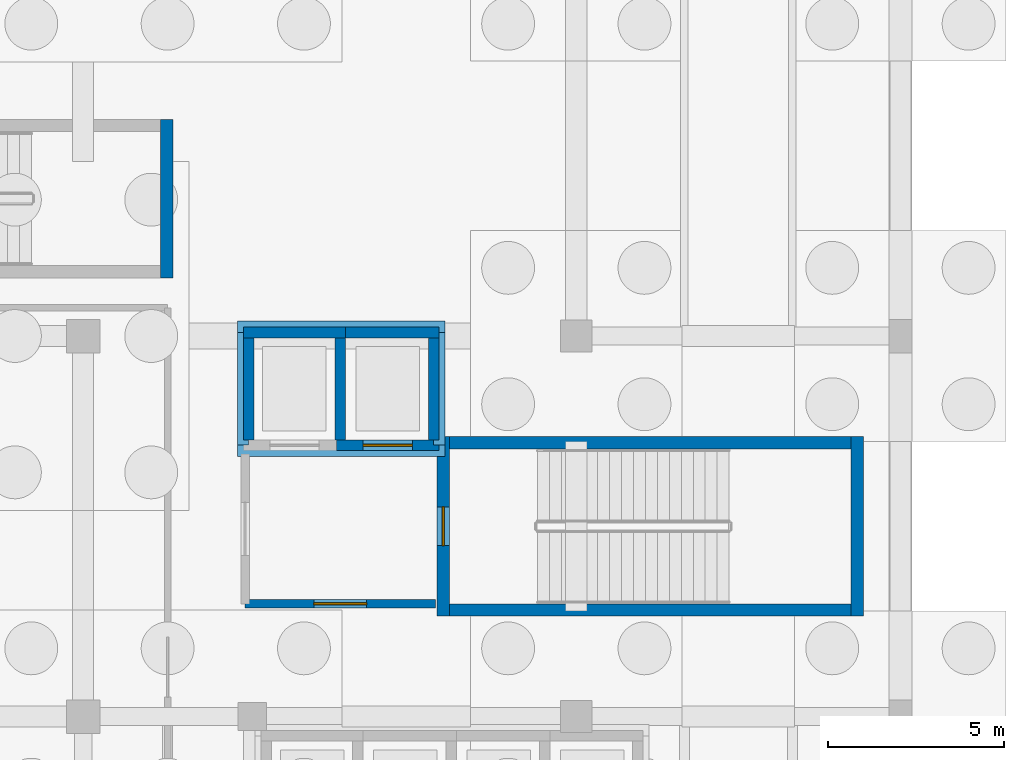
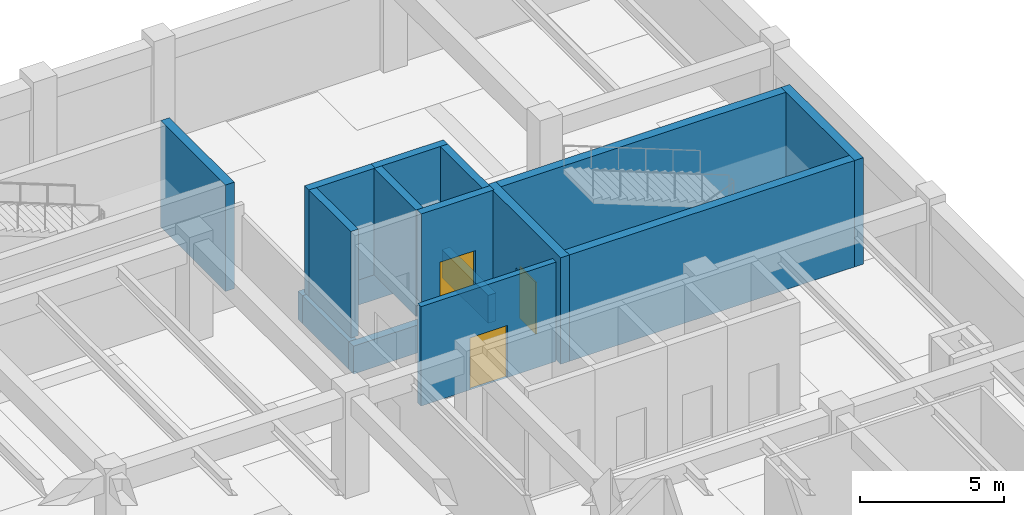
# One storey, part 22 of 33: 16 walls, 3 doors, 3 openings.
"""IFC4 building model written with IfcOpenShell, lengths in metres."""

from ifc_helpers import new_model, si_unit, direction, frame, frame_2d, origin, place, context, subcontext, project, spatial, rectangle, extrude, material, layer, layer_set, type_object, element, fill, save


model = new_model("IFC4")

# Units and contexts
model_context = context("Model", 3, precision=1e-05, world=origin(), true_north=direction((0.0, 1.0)))
body_context = subcontext(model_context, "Body", "Model", "MODEL_VIEW")
ifc_project = project(units=[si_unit("LENGTHUNIT", "METRE"), si_unit("AREAUNIT", "SQUARE_METRE"), si_unit("VOLUMEUNIT", "CUBIC_METRE"), si_unit("PLANEANGLEUNIT", "RADIAN"), si_unit("MASSUNIT", "GRAM", prefix="KILO")], contexts=[model_context])

# Site, building, storey
site_placement = place(None, origin())
site = spatial("IfcSite", under=ifc_project, at=site_placement, CompositionType="ELEMENT")
building_placement = place(site_placement, origin())
building = spatial("IfcBuilding", under=site, at=building_placement, Name="Veldera Park Congress Hotel", CompositionType="ELEMENT")
storey_placement = place(building_placement, frame((0.0, 0.0, -4.5)))
storey = spatial("IfcBuildingStorey", under=building, at=storey_placement, Name="B1", CompositionType="ELEMENT", Elevation=-4.5)

# Wall, opening, door
ifc_material_1 = material(Name="Concrete f'c 40 MPa (5,800 psi)", Category="concrete")
ifc_layer_1 = layer(ifc_material_1, 0.239990234375)
ifc_layer_set_1 = layer_set([ifc_layer_1], Name="Concrete f'c 40 MPa (5,800 psi)")
wall_type_1 = type_object("IfcWallType", Name="IW-FIRE240", PredefinedType="STANDARD", material=ifc_layer_set_1)
wall_1_placement = place(storey_placement, frame((65.39990234375, 39.60009765625, 0.0), z_axis=(0.0, 0.0, 1.0), x_axis=(1.0, 0.0, 0.0)))
wall_1 = element("IfcWall", 1, at=wall_1_placement, inside=storey, type_object=wall_type_1, Name="B1 Partition Wall IW3-B1-00001", PredefinedType="STANDARD", context=body_context, shape_type="SweptSolid", body=[
    extrude(rectangle(XDim=5.400146484375, YDim=0.239990234375, at=frame_2d((2.7001953125, 0.0))), origin(), (0.0, 0.0, 1.0), 4.199951171875),
])
opening_1_placement = place(wall_1_placement, frame((1.949951171875, 0.0, 0.0)))
opening_1 = element("IfcOpeningElement", 2, at=opening_1_placement, cuts=wall_1, Name="Opening ID-LOB150", PredefinedType="OPENING", context=body_context, shape_type="SweptSolid", body=[
    extrude(rectangle(XDim=1.5, YDim=2.199951171875, at=frame_2d((0.75, 1.10009765625))), frame((0.0, 0.132080078125, 0.0), z_axis=(0.0, -1.0, 0.0), x_axis=(1.0, 0.0, 0.0)), (0.0, 0.0, 1.0), 0.263916015625),
])
ifc_material_2 = material(Name="Hollow Metal Fire-Rated Steel Door", Category="steel")
door_type_1 = type_object("IfcDoorType", Name="ID-LOB150", OperationType="DOUBLE_DOOR_SINGLE_SWING", PredefinedType="DOOR", material=ifc_material_2)
door_1_placement = place(opening_1_placement, origin())
door_1 = element("IfcDoor", 3, at=door_1_placement, inside=storey, type_object=door_type_1, Name="B1 Firefighting Lobby Door ID3-B1-0001 (DR3-ID3-B1-0001)", OperationType="DOUBLE_DOOR_SINGLE_SWING", OverallHeight=2.199951171875, OverallWidth=1.5, PredefinedType="DOOR", context=body_context, shape_type="SweptSolid", body=[
    extrude(rectangle(XDim=1.5, YDim=2.199951171875, at=frame_2d((0.75, 1.10009765625))), frame((0.0, 0.02490234375, 0.0), z_axis=(0.0, -1.0, 0.0), x_axis=(1.0, 0.0, 0.0)), (0.0, 0.0, 1.0), 0.050048828125),
])
fill(opening_1, door_1)

# Walls
ifc_layer_2 = layer(ifc_material_1, 0.35009765625)
ifc_layer_set_2 = layer_set([ifc_layer_2], Name="Concrete f'c 40 MPa (5,800 psi)")
wall_type_2 = type_object("IfcWallType", Name="SW-CORE350", PredefinedType="SHEAR", material=ifc_layer_set_2)
wall_2_placement = place(storey_placement, frame((70.85009765625, 39.425048828125, 0.0), z_axis=(0.0, 0.0, 1.0), x_axis=(1.0, 0.0, 0.0)))
element("IfcWall", 4, at=wall_2_placement, inside=storey, type_object=wall_type_2, Name="Stair ST1 Core Wall B1-S", PredefinedType="SHEAR", context=body_context, shape_type="SweptSolid", body=[
    extrude(rectangle(XDim=12.099853515625, YDim=0.35009765625, at=frame_2d((6.0498046875, 0.0))), origin(), (0.0, 0.0, 1.0), 4.5),
])
wall_3_placement = place(storey_placement, frame((82.77490234375, 39.25, 0.0), z_axis=(0.0, 0.0, 1.0), x_axis=(0.0, 1.0, 0.0)))
element("IfcWall", 5, at=wall_3_placement, inside=storey, type_object=wall_type_2, Name="Stair ST1 Core Wall B1-E", PredefinedType="SHEAR", context=body_context, shape_type="SweptSolid", body=[
    extrude(rectangle(XDim=5.10009765625, YDim=0.35009765625, at=frame_2d((2.550048828125, 0.0))), origin(), (0.0, 0.0, 1.0), 4.5),
])
wall_4_placement = place(storey_placement, frame((82.949951171875, 44.175048828125, 0.0), z_axis=(0.0, 0.0, 1.0), x_axis=(-1.0, 0.0, 0.0)))
element("IfcWall", 6, at=wall_4_placement, inside=storey, type_object=wall_type_2, Name="Stair ST1 Core Wall B1-N", PredefinedType="SHEAR", context=body_context, shape_type="SweptSolid", body=[
    extrude(rectangle(XDim=12.099853515625, YDim=0.35009765625, at=frame_2d((6.0498046875, 0.0))), origin(), (0.0, 0.0, 1.0), 4.5),
])

# Wall, opening, door
wall_5_placement = place(storey_placement, frame((71.02490234375, 44.35009765625, 0.0), z_axis=(0.0, 0.0, 1.0), x_axis=(0.0, -1.0, 0.0)))
wall_5 = element("IfcWall", 7, at=wall_5_placement, inside=storey, type_object=wall_type_2, Name="Stair ST1 Core Wall B1-W", PredefinedType="SHEAR", context=body_context, shape_type="SweptSolid", body=[
    extrude(rectangle(XDim=5.10009765625, YDim=0.35009765625, at=frame_2d((2.550048828125, 0.0))), origin(), (0.0, 0.0, 1.0), 4.5),
])
opening_2_placement = place(wall_5_placement, frame((2.0, 0.0, 0.0)))
opening_2 = element("IfcOpeningElement", 8, at=opening_2_placement, cuts=wall_5, Name="Opening ID-STAIR110", PredefinedType="OPENING", context=body_context, shape_type="SweptSolid", body=[
    extrude(rectangle(XDim=1.10009765625, YDim=2.199951171875, at=frame_2d((0.550048828125, 1.10009765625))), frame((0.0, 0.18701171875, 0.0), z_axis=(0.0, -1.0, 0.0), x_axis=(1.0, 0.0, 0.0)), (0.0, 0.0, 1.0), 0.3740234375),
])
door_type_2 = type_object("IfcDoorType", Name="ID-STAIR110", OperationType="NOTDEFINED", PredefinedType="DOOR", material=ifc_material_2)
door_2_placement = place(opening_2_placement, origin())
door_2 = element("IfcDoor", 9, at=door_2_placement, inside=storey, type_object=door_type_2, Name="B1 Stair ST1 Fire Door (DR3-SD-ST1-B1)", OperationType="SINGLE_SWING_LEFT", OverallHeight=2.199951171875, OverallWidth=1.10009765625, PredefinedType="DOOR", context=body_context, shape_type="SweptSolid", body=[
    extrude(rectangle(XDim=1.10009765625, YDim=2.199951171875, at=frame_2d((0.550048828125, 1.10009765625))), frame((0.0, 0.02490234375, 0.0), z_axis=(0.0, -1.0, 0.0), x_axis=(1.0, 0.0, 0.0)), (0.0, 0.0, 1.0), 0.050048828125),
])
fill(opening_2, door_2)

# Walls
wall_6_placement = place(storey_placement, frame((63.175048828125, 48.85009765625, 0.0), z_axis=(0.0, 0.0, 1.0), x_axis=(0.0, 1.0, 0.0)))
element("IfcWall", 10, at=wall_6_placement, inside=storey, type_object=wall_type_2, Name="Stair ST3 Core Wall B1-E", PredefinedType="SHEAR", context=body_context, shape_type="SweptSolid", body=[
    extrude(rectangle(XDim=4.5, YDim=0.35009765625, at=frame_2d((2.25, 0.0))), origin(), (0.0, 0.0, 1.0), 4.5),
])
ifc_layer_3 = layer(ifc_material_1, 0.320068359375)
ifc_layer_set_3 = layer_set([ifc_layer_3], Name="Concrete f'c 40 MPa (5,800 psi)")
wall_type_3 = type_object("IfcWallType", Name="SW-PIT320", PredefinedType="SHEAR", material=ifc_layer_set_3)
for number, where, z_axis, x_axis, name in (
    (11, (65.179931640625, 43.93994140625, -1.179931640625), (0.0, 0.0, 1.0), (1.0, 0.0, 0.0), "Elevator Pit Wall PIT-FL-S"),
    (12, (71.070068359375, 47.4599609375, -1.179931640625), (0.0, 0.0, 1.0), (-1.0, 0.0, 0.0), "Elevator Pit Wall PIT-FL-N"),
):
    element("IfcWall", number, at=place(storey_placement, frame(where, z_axis=z_axis, x_axis=x_axis)), inside=storey, type_object=wall_type_3, Name=name, PredefinedType="SHEAR", context=body_context, shape_type="SweptSolid", body=[
        extrude(rectangle(XDim=5.89013671875, YDim=0.320068359375, at=frame_2d((2.945068359375, 0.0))), origin(), (0.0, 0.0, 1.0), 1.179931640625),
    ])
for number, where, z_axis, x_axis, name in (
    (13, (70.909912109375, 44.10009765625, -1.179931640625), (0.0, 0.0, 1.0), (0.0, 1.0, 0.0), "Elevator Pit Wall PIT-FL-E"),
    (14, (65.340087890625, 47.300048828125, -1.179931640625), (0.0, 0.0, 1.0), (0.0, -1.0, 0.0), "Elevator Pit Wall PIT-FL-W"),
):
    element("IfcWall", number, at=place(storey_placement, frame(where, z_axis=z_axis, x_axis=x_axis)), inside=storey, type_object=wall_type_3, Name=name, PredefinedType="SHEAR", context=body_context, shape_type="SweptSolid", body=[
        extrude(rectangle(XDim=3.199951171875, YDim=0.320068359375, at=frame_2d((1.60009765625, 0.0))), origin(), (0.0, 0.0, 1.0), 1.179931640625),
    ])
ifc_layer_4 = layer(ifc_material_1, 0.300048828125)
ifc_layer_set_4 = layer_set([ifc_layer_4], Name="Concrete f'c 40 MPa (5,800 psi)")
wall_type_4 = type_object("IfcWallType", Name="SW-SHFT300", PredefinedType="SHEAR", material=ifc_layer_set_4)
for number, where, z_axis, x_axis, name in (
    (15, (68.25, 47.300048828125, 0.0), (0.0, 0.0, 1.0), (-1.0, 0.0, 0.0), "Lift FL-01 Shaft Wall B1-N"),
    (16, (68.10009765625, 44.25, 0.0), (0.0, 0.0, 1.0), (0.0, 1.0, 0.0), "Lift FL-01 Shaft Wall B1-E"),
    (17, (65.5, 47.14990234375, 0.0), (0.0, 0.0, 1.0), (0.0, -1.0, 0.0), "Lift FL-01 Shaft Wall B1-W"),
):
    element("IfcWall", number, at=place(storey_placement, frame(where, z_axis=z_axis, x_axis=x_axis)), inside=storey, type_object=wall_type_4, Name=name, PredefinedType="SHEAR", context=body_context, shape_type="SweptSolid", body=[
        extrude(rectangle(XDim=2.89990234375, YDim=0.300048828125, at=frame_2d((1.449951171875, 0.0))), origin(), (0.0, 0.0, 1.0), 4.5),
    ])

# Wall, opening, door
wall_7_placement = place(storey_placement, frame((68.0, 44.10009765625, 0.0), z_axis=(0.0, 0.0, 1.0), x_axis=(1.0, 0.0, 0.0)))
wall_7 = element("IfcWall", 18, at=wall_7_placement, inside=storey, type_object=wall_type_4, Name="Lift FL-02 Shaft Wall B1-S", PredefinedType="SHEAR", context=body_context, shape_type="SweptSolid", body=[
    extrude(rectangle(XDim=2.89990234375, YDim=0.300048828125, at=frame_2d((1.449951171875, 0.0))), origin(), (0.0, 0.0, 1.0), 4.5),
])
opening_3_placement = place(wall_7_placement, frame((0.75, 0.0, 0.0)))
opening_3 = element("IfcOpeningElement", 19, at=opening_3_placement, cuts=wall_7, Name="Opening LD-140", PredefinedType="OPENING", context=body_context, shape_type="SweptSolid", body=[
    extrude(rectangle(XDim=1.39990234375, YDim=2.199951171875, at=frame_2d((0.699951171875, 1.10009765625))), frame((0.0, 0.162109375, 0.0), z_axis=(0.0, -1.0, 0.0), x_axis=(1.0, 0.0, 0.0)), (0.0, 0.0, 1.0), 0.323974609375),
])
door_type_3 = type_object("IfcDoorType", Name="LD-140", OperationType="DOUBLE_DOOR_SLIDING", PredefinedType="DOOR", material=ifc_material_2)
door_3_placement = place(opening_3_placement, origin())
door_3 = element("IfcDoor", 20, at=door_3_placement, inside=storey, type_object=door_type_3, Name="B1 Lift FL-02 Landing Door (DR3-LD-FL-02-B1)", OperationType="DOUBLE_DOOR_SLIDING", OverallHeight=2.199951171875, OverallWidth=1.39990234375, PredefinedType="DOOR", context=body_context, shape_type="SweptSolid", body=[
    extrude(rectangle(XDim=1.39990234375, YDim=2.199951171875, at=frame_2d((0.699951171875, 1.10009765625))), frame((0.0, 0.02490234375, 0.0), z_axis=(0.0, -1.0, 0.0), x_axis=(1.0, 0.0, 0.0)), (0.0, 0.0, 1.0), 0.050048828125),
])
fill(opening_3, door_3)

# Walls
for number, where, z_axis, x_axis, name in (
    (21, (70.89990234375, 47.300048828125, 0.0), (0.0, 0.0, 1.0), (-1.0, 0.0, 0.0), "Lift FL-02 Shaft Wall B1-N"),
    (22, (70.75, 44.25, 0.0), (0.0, 0.0, 1.0), (0.0, 1.0, 0.0), "Lift FL-02 Shaft Wall B1-E"),
):
    element("IfcWall", number, at=place(storey_placement, frame(where, z_axis=z_axis, x_axis=x_axis)), inside=storey, type_object=wall_type_4, Name=name, PredefinedType="SHEAR", context=body_context, shape_type="SweptSolid", body=[
        extrude(rectangle(XDim=2.89990234375, YDim=0.300048828125, at=frame_2d((1.449951171875, 0.0))), origin(), (0.0, 0.0, 1.0), 4.5),
    ])

save(model, "model.ifc")
